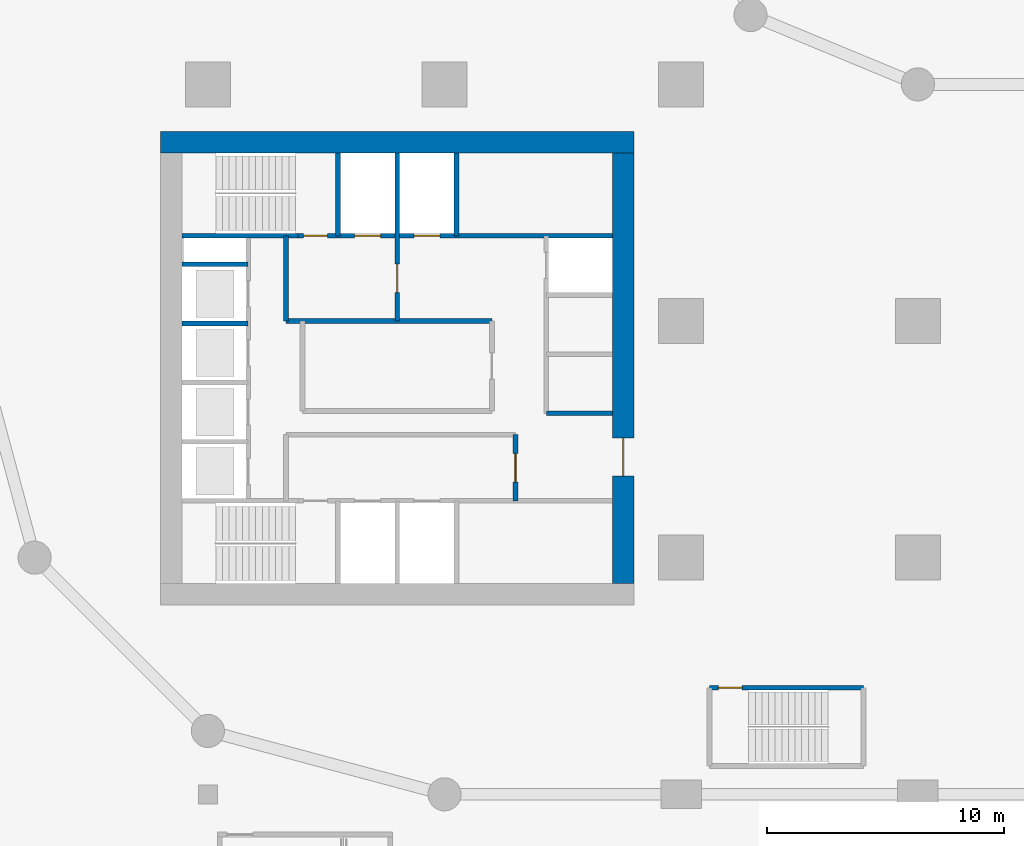
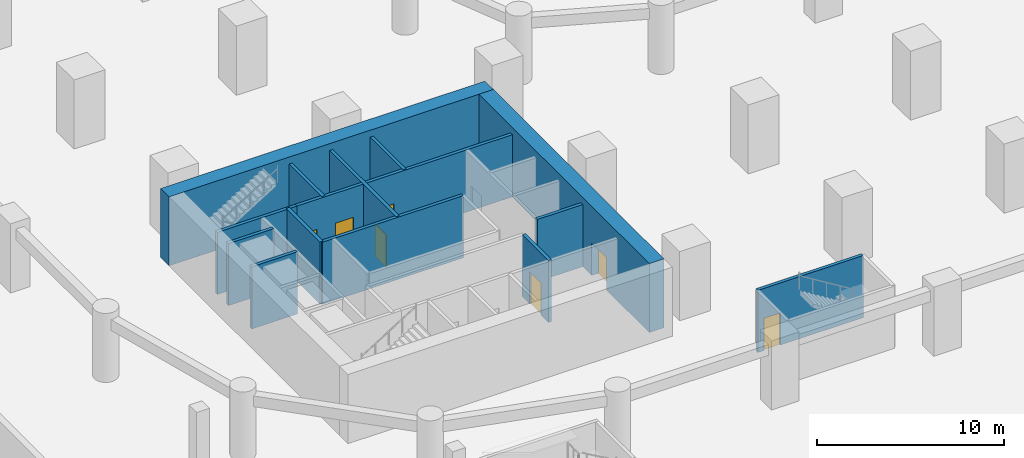
# One storey, part 5 of 19: 14 walls, 7 doors, 7 openings.
"""IFC4 building model written with IfcOpenShell, lengths in metres."""

from ifc_helpers import new_model, si_unit, direction, frame, frame_2d, origin, place, context, subcontext, project, spatial, rectangle, extrude, material, layer, layer_set, type_object, element, fill, save


model = new_model("IFC4")

# Units and contexts
model_context = context("Model", 3, precision=1e-05, world=origin(), true_north=direction((0.0, 1.0)))
body_context = subcontext(model_context, "Body", "Model", "MODEL_VIEW")
ifc_project = project(units=[si_unit("LENGTHUNIT", "METRE"), si_unit("AREAUNIT", "SQUARE_METRE"), si_unit("VOLUMEUNIT", "CUBIC_METRE"), si_unit("PLANEANGLEUNIT", "RADIAN"), si_unit("MASSUNIT", "GRAM", prefix="KILO")], contexts=[model_context])

# Site, building, storey
site_placement = place(None, origin())
site = spatial("IfcSite", under=ifc_project, at=site_placement, CompositionType="ELEMENT")
building_placement = place(site_placement, origin())
building = spatial("IfcBuilding", under=site, at=building_placement, Name="Qaws Garden Tower", CompositionType="ELEMENT")
storey_placement = place(building_placement, frame((0.0, 0.0, -4.5)))
storey = spatial("IfcBuildingStorey", under=building, at=storey_placement, Name="B1", CompositionType="ELEMENT", Elevation=-4.5)

# Wall, opening, door
ifc_material_1 = material(Name="Concrete C80", Category="concrete")
ifc_layer_1 = layer(ifc_material_1, 0.199951171875)
ifc_layer_set_1 = layer_set([ifc_layer_1], Name="Concrete C80")
wall_type_1 = type_object("IfcWallType", Name="Core shaft wall 200 C80", PredefinedType="SHEAR", material=ifc_layer_set_1)
wall_1_placement = place(storey_placement, frame((31.199951171875, 4.5, 0.0), z_axis=(0.0, 0.0, 1.0), x_axis=(1.0, 0.0, 0.0)))
wall_1 = element("IfcWall", 1, at=wall_1_placement, inside=storey, type_object=wall_type_1, Name="Shaft wall", PredefinedType="SHEAR", context=body_context, shape_type="SweptSolid", body=[
    extrude(rectangle(XDim=6.5, YDim=0.199951171875, at=frame_2d((3.25, 0.0))), origin(), (0.0, 0.0, 1.0), 4.050048828125),
])
opening_1_placement = place(wall_1_placement, frame((0.375, 0.0, 0.0)))
opening_1 = element("IfcOpeningElement", 2, at=opening_1_placement, cuts=wall_1, Name="Opening SD12", PredefinedType="OPENING", context=body_context, shape_type="SweptSolid", body=[
    extrude(rectangle(XDim=1.0, YDim=2.10009765625, at=frame_2d((0.5, 1.050048828125))), frame((0.0, 0.10986328125, 0.0), z_axis=(0.0, -1.0, 0.0), x_axis=(1.0, 0.0, 0.0)), (0.0, 0.0, 1.0), 0.219970703125),
])
ifc_material_2 = material(Name="Steel S235", Category="steel")
door_type_1 = type_object("IfcDoorType", Name="Stair door 1000x2100", OperationType="SINGLE_SWING_RIGHT", PredefinedType="DOOR", material=ifc_material_2)
door_1_placement = place(opening_1_placement, frame((1.0, 0.0, 0.0), z_axis=(0.0, 0.0, 1.0), x_axis=(-1.0, 0.0, 0.0)))
door_1 = element("IfcDoor", 3, at=door_1_placement, inside=storey, type_object=door_type_1, Name="Stair 5 door", OperationType="SINGLE_SWING_RIGHT", OverallHeight=2.10009765625, OverallWidth=1.0, PredefinedType="DOOR", context=body_context, shape_type="SweptSolid", body=[
    extrude(rectangle(XDim=1.0, YDim=2.10009765625, at=frame_2d((0.5, 1.050048828125))), frame((0.0, 0.02490234375, 0.0), z_axis=(0.0, -1.0, 0.0), x_axis=(1.0, 0.0, 0.0)), (0.0, 0.0, 1.0), 0.050048828125),
])
fill(opening_1, door_1)

# Walls
for number, where, z_axis, x_axis, name in (
    (4, (24.300048828125, 16.10009765625, 0.0), (0.0, 0.0, 1.0), (1.0, 0.0, 0.0), "Shaft wall"),
    (5, (8.89990234375, 19.89990234375, 0.0), (0.0, 0.0, 1.0), (1.0, 0.0, 0.0), "Shaft wall"),
):
    element("IfcWall", number, at=place(storey_placement, frame(where, z_axis=z_axis, x_axis=x_axis)), inside=storey, type_object=wall_type_1, Name=name, PredefinedType="SHEAR", context=body_context, shape_type="SweptSolid", body=[
        extrude(rectangle(XDim=2.800048828125, YDim=0.199951171875, at=frame_2d((1.39990234375, 0.0))), origin(), (0.0, 0.0, 1.0), 4.050048828125),
    ])
wall_2_placement = place(storey_placement, frame((13.300048828125, 20.0, 0.0), z_axis=(0.0, 0.0, 1.0), x_axis=(1.0, 0.0, 0.0)))
element("IfcWall", 6, at=wall_2_placement, inside=storey, type_object=wall_type_1, Name="Shaft wall", PredefinedType="SHEAR", context=body_context, shape_type="SweptSolid", body=[
    extrude(rectangle(XDim=8.699951171875, YDim=0.199951171875, at=frame_2d((4.35009765625, 0.0))), origin(), (0.0, 0.0, 1.0), 4.050048828125),
])
wall_3_placement = place(storey_placement, frame((8.89990234375, 22.39990234375, 0.0), z_axis=(0.0, 0.0, 1.0), x_axis=(1.0, 0.0, 0.0)))
element("IfcWall", 7, at=wall_3_placement, inside=storey, type_object=wall_type_1, Name="Shaft wall", PredefinedType="SHEAR", context=body_context, shape_type="SweptSolid", body=[
    extrude(rectangle(XDim=2.800048828125, YDim=0.199951171875, at=frame_2d((1.39990234375, 0.0))), origin(), (0.0, 0.0, 1.0), 4.050048828125),
])
wall_4_placement = place(storey_placement, frame((8.89990234375, 23.60009765625, 0.0), z_axis=(0.0, 0.0, 1.0), x_axis=(1.0, 0.0, 0.0)))
element("IfcWall", 8, at=wall_4_placement, inside=storey, type_object=wall_type_1, Name="Shaft wall", PredefinedType="SHEAR", context=body_context, shape_type="SweptSolid", body=[
    extrude(rectangle(XDim=4.900146484375, YDim=0.199951171875, at=frame_2d((2.4501953125, 0.0))), origin(), (0.0, 0.0, 1.0), 4.050048828125),
])

# Wall, openings, doors
wall_5_placement = place(storey_placement, frame((13.800048828125, 23.60009765625, 0.0), z_axis=(0.0, 0.0, 1.0), x_axis=(1.0, 0.0, 0.0)))
wall_5 = element("IfcWall", 9, at=wall_5_placement, inside=storey, type_object=wall_type_1, Name="Shaft wall", PredefinedType="SHEAR", context=body_context, shape_type="SweptSolid", body=[
    extrude(rectangle(XDim=13.300048828125, YDim=0.199951171875, at=frame_2d((6.64990234375, 0.0))), origin(), (0.0, 0.0, 1.0), 4.050048828125),
])
opening_2_placement = place(wall_5_placement, frame((2.39990234375, 0.0, 0.0)))
opening_2 = element("IfcOpeningElement", 10, at=opening_2_placement, cuts=wall_5, Name="Opening LD08", PredefinedType="OPENING", context=body_context, shape_type="SweptSolid", body=[
    extrude(rectangle(XDim=1.10009765625, YDim=2.10009765625, at=frame_2d((0.550048828125, 1.050048828125))), frame((0.0, 0.10986328125, 0.0), z_axis=(0.0, -1.0, 0.0), x_axis=(1.0, 0.0, 0.0)), (0.0, 0.0, 1.0), 0.219970703125),
])
opening_3_placement = place(wall_5_placement, frame((4.89990234375, 0.0, 0.0)))
opening_3 = element("IfcOpeningElement", 11, at=opening_3_placement, cuts=wall_5, Name="Opening LD09", PredefinedType="OPENING", context=body_context, shape_type="SweptSolid", body=[
    extrude(rectangle(XDim=1.10009765625, YDim=2.10009765625, at=frame_2d((0.550048828125, 1.050048828125))), frame((0.0, 0.10986328125, 0.0), z_axis=(0.0, -1.0, 0.0), x_axis=(1.0, 0.0, 0.0)), (0.0, 0.0, 1.0), 0.219970703125),
])
opening_4_placement = place(wall_5_placement, frame((0.25, 0.0, 0.0)))
opening_4 = element("IfcOpeningElement", 12, at=opening_4_placement, cuts=wall_5, Name="Opening SD11", PredefinedType="OPENING", context=body_context, shape_type="SweptSolid", body=[
    extrude(rectangle(XDim=1.0, YDim=2.10009765625, at=frame_2d((0.5, 1.050048828125))), frame((0.0, 0.10986328125, 0.0), z_axis=(0.0, -1.0, 0.0), x_axis=(1.0, 0.0, 0.0)), (0.0, 0.0, 1.0), 0.219970703125),
])
ifc_material_3 = material(Name="Steel S235", Category="steel")
door_type_2 = type_object("IfcDoorType", Name="Landing door 1100x2100", OperationType="DOUBLE_DOOR_SLIDING", PredefinedType="DOOR", material=ifc_material_3)
door_2_placement = place(opening_2_placement, origin())
door_2 = element("IfcDoor", 13, at=door_2_placement, inside=storey, type_object=door_type_2, Name="Lift FF3 landing door", OperationType="DOUBLE_DOOR_SLIDING", OverallHeight=2.10009765625, OverallWidth=1.10009765625, PredefinedType="DOOR", context=body_context, shape_type="SweptSolid", body=[
    extrude(rectangle(XDim=1.10009765625, YDim=2.10009765625, at=frame_2d((0.550048828125, 1.050048828125))), frame((0.0, 0.02490234375, 0.0), z_axis=(0.0, -1.0, 0.0), x_axis=(1.0, 0.0, 0.0)), (0.0, 0.0, 1.0), 0.050048828125),
])
fill(opening_2, door_2)
door_3_placement = place(opening_3_placement, origin())
door_3 = element("IfcDoor", 14, at=door_3_placement, inside=storey, type_object=door_type_2, Name="Lift SV2 landing door", OperationType="DOUBLE_DOOR_SLIDING", OverallHeight=2.10009765625, OverallWidth=1.10009765625, PredefinedType="DOOR", context=body_context, shape_type="SweptSolid", body=[
    extrude(rectangle(XDim=1.10009765625, YDim=2.10009765625, at=frame_2d((0.550048828125, 1.050048828125))), frame((0.0, 0.02490234375, 0.0), z_axis=(0.0, -1.0, 0.0), x_axis=(1.0, 0.0, 0.0)), (0.0, 0.0, 1.0), 0.050048828125),
])
fill(opening_3, door_3)
door_4_placement = place(opening_4_placement, origin())
door_4 = element("IfcDoor", 15, at=door_4_placement, inside=storey, type_object=door_type_1, Name="Stair 4 door", OperationType="SINGLE_SWING_RIGHT", OverallHeight=2.10009765625, OverallWidth=1.0, PredefinedType="DOOR", context=body_context, shape_type="SweptSolid", body=[
    extrude(rectangle(XDim=1.0, YDim=2.10009765625, at=frame_2d((0.5, 1.050048828125))), frame((0.0, 0.02490234375, 0.0), z_axis=(0.0, -1.0, 0.0), x_axis=(1.0, 0.0, 0.0)), (0.0, 0.0, 1.0), 0.050048828125),
])
fill(opening_4, door_4)

# Walls
wall_6_placement = place(storey_placement, frame((13.300048828125, 20.0, 0.0), z_axis=(0.0, 0.0, 1.0), x_axis=(0.0, 1.0, 0.0)))
element("IfcWall", 16, at=wall_6_placement, inside=storey, type_object=wall_type_1, Name="Shaft wall", PredefinedType="SHEAR", context=body_context, shape_type="SweptSolid", body=[
    extrude(rectangle(XDim=3.60009765625, YDim=0.199951171875, at=frame_2d((1.800048828125, 0.0))), origin(), (0.0, 0.0, 1.0), 4.050048828125),
])
wall_7_placement = place(storey_placement, frame((15.5, 23.60009765625, 0.0), z_axis=(0.0, 0.0, 1.0), x_axis=(0.0, 1.0, 0.0)))
element("IfcWall", 17, at=wall_7_placement, inside=storey, type_object=wall_type_1, Name="Shaft wall", PredefinedType="SHEAR", context=body_context, shape_type="SweptSolid", body=[
    extrude(rectangle(XDim=3.5, YDim=0.199951171875, at=frame_2d((1.75, 0.0))), origin(), (0.0, 0.0, 1.0), 4.050048828125),
])

# Wall, opening, door
wall_8_placement = place(storey_placement, frame((18.0, 20.0, 0.0), z_axis=(0.0, 0.0, 1.0), x_axis=(0.0, 1.0, 0.0)))
wall_8 = element("IfcWall", 18, at=wall_8_placement, inside=storey, type_object=wall_type_1, Name="Shaft wall", PredefinedType="SHEAR", context=body_context, shape_type="SweptSolid", body=[
    extrude(rectangle(XDim=7.10009765625, YDim=0.199951171875, at=frame_2d((3.550048828125, 0.0))), origin(), (0.0, 0.0, 1.0), 4.050048828125),
])
opening_5_placement = place(wall_8_placement, frame((1.199951171875, 0.0, 0.0)))
opening_5 = element("IfcOpeningElement", 19, at=opening_5_placement, cuts=wall_8, Name="Opening FD14", PredefinedType="OPENING", context=body_context, shape_type="SweptSolid", body=[
    extrude(rectangle(XDim=1.199951171875, YDim=2.10009765625, at=frame_2d((0.60009765625, 1.050048828125))), frame((0.0, 0.10986328125, 0.0), z_axis=(0.0, -1.0, 0.0), x_axis=(1.0, 0.0, 0.0)), (0.0, 0.0, 1.0), 0.219970703125),
])
ifc_material_4 = material(Name="Steel S235", Category="steel")
door_type_3 = type_object("IfcDoorType", Name="Lobby door 1200x2100", OperationType="DOUBLE_DOOR_SINGLE_SWING", PredefinedType="DOOR", material=ifc_material_4)
door_5_placement = place(opening_5_placement, origin())
door_5 = element("IfcDoor", 20, at=door_5_placement, inside=storey, type_object=door_type_3, Name="Fire-fighting lobby door", OperationType="DOUBLE_DOOR_SINGLE_SWING", OverallHeight=2.10009765625, OverallWidth=1.199951171875, PredefinedType="DOOR", context=body_context, shape_type="SweptSolid", body=[
    extrude(rectangle(XDim=1.199951171875, YDim=2.10009765625, at=frame_2d((0.60009765625, 1.050048828125))), frame((0.0, 0.02490234375, 0.0), z_axis=(0.0, -1.0, 0.0), x_axis=(1.0, 0.0, 0.0)), (0.0, 0.0, 1.0), 0.050048828125),
])
fill(opening_5, door_5)

# Wall
wall_9_placement = place(storey_placement, frame((20.5, 23.60009765625, 0.0), z_axis=(0.0, 0.0, 1.0), x_axis=(0.0, 1.0, 0.0)))
element("IfcWall", 21, at=wall_9_placement, inside=storey, type_object=wall_type_1, Name="Shaft wall", PredefinedType="SHEAR", context=body_context, shape_type="SweptSolid", body=[
    extrude(rectangle(XDim=3.5, YDim=0.199951171875, at=frame_2d((1.75, 0.0))), origin(), (0.0, 0.0, 1.0), 4.050048828125),
])

# Wall, opening, door
wall_10_placement = place(storey_placement, frame((23.0, 12.39990234375, 0.0), z_axis=(0.0, 0.0, 1.0), x_axis=(0.0, 1.0, 0.0)))
wall_10 = element("IfcWall", 22, at=wall_10_placement, inside=storey, type_object=wall_type_1, Name="Shaft wall", PredefinedType="SHEAR", context=body_context, shape_type="SweptSolid", body=[
    extrude(rectangle(XDim=2.800048828125, YDim=0.199951171875, at=frame_2d((1.39990234375, 0.0))), origin(), (0.0, 0.0, 1.0), 4.050048828125),
])
opening_6_placement = place(wall_10_placement, frame((0.800048828125, 0.0, 0.0)))
opening_6 = element("IfcOpeningElement", 23, at=opening_6_placement, cuts=wall_10, Name="Opening FD13", PredefinedType="OPENING", context=body_context, shape_type="SweptSolid", body=[
    extrude(rectangle(XDim=1.199951171875, YDim=2.10009765625, at=frame_2d((0.60009765625, 1.050048828125))), frame((0.0, 0.10986328125, 0.0), z_axis=(0.0, -1.0, 0.0), x_axis=(1.0, 0.0, 0.0)), (0.0, 0.0, 1.0), 0.219970703125),
])
door_6_placement = place(opening_6_placement, origin())
door_6 = element("IfcDoor", 24, at=door_6_placement, inside=storey, type_object=door_type_3, Name="Fire-fighting lobby door", OperationType="DOUBLE_DOOR_SINGLE_SWING", OverallHeight=2.10009765625, OverallWidth=1.199951171875, PredefinedType="DOOR", context=body_context, shape_type="SweptSolid", body=[
    extrude(rectangle(XDim=1.199951171875, YDim=2.10009765625, at=frame_2d((0.60009765625, 1.050048828125))), frame((0.0, 0.02490234375, 0.0), z_axis=(0.0, -1.0, 0.0), x_axis=(1.0, 0.0, 0.0)), (0.0, 0.0, 1.0), 0.050048828125),
])
fill(opening_6, door_6)

ifc_material_5 = material(Name="Concrete C80", Category="concrete")
ifc_layer_2 = layer(ifc_material_5, 0.89990234375)
ifc_layer_set_2 = layer_set([ifc_layer_2], Name="Concrete C80")
wall_type_2 = type_object("IfcWallType", Name="Core wall 900 C80", PredefinedType="SHEAR", material=ifc_layer_set_2)
wall_11_placement = place(storey_placement, frame((27.550048828125, 8.89990234375, 0.0), z_axis=(0.0, 0.0, 1.0), x_axis=(0.0, 1.0, 0.0)))
wall_11 = element("IfcWall", 25, at=wall_11_placement, inside=storey, type_object=wall_type_2, Name="Core wall B1 east", PredefinedType="SHEAR", context=body_context, shape_type="SweptSolid", body=[
    extrude(rectangle(XDim=18.2001953125, YDim=0.89990234375, at=frame_2d((9.10009765625, 0.0))), origin(), (0.0, 0.0, 1.0), 4.5),
])
opening_7_placement = place(wall_11_placement, frame((4.550048828125, 0.0, 0.0)))
opening_7 = element("IfcOpeningElement", 26, at=opening_7_placement, cuts=wall_11, Name="Opening ED16", PredefinedType="OPENING", context=body_context, shape_type="SweptSolid", body=[
    extrude(rectangle(XDim=1.60009765625, YDim=2.10009765625, at=frame_2d((0.800048828125, 1.050048828125))), frame((0.0, 0.4599609375, 0.0), z_axis=(0.0, -1.0, 0.0), x_axis=(1.0, 0.0, 0.0)), (0.0, 0.0, 1.0), 0.919921875),
])
ifc_material_6 = material(Name="Steel S235", Category="steel")
door_type_4 = type_object("IfcDoorType", Name="Core entrance door 1600x2100", OperationType="DOUBLE_DOOR_SINGLE_SWING", PredefinedType="DOOR", material=ifc_material_6)
door_7_placement = place(opening_7_placement, origin())
door_7 = element("IfcDoor", 27, at=door_7_placement, inside=storey, type_object=door_type_4, Name="Core entrance door", OperationType="DOUBLE_DOOR_SINGLE_SWING", OverallHeight=2.10009765625, OverallWidth=1.60009765625, PredefinedType="DOOR", context=body_context, shape_type="SweptSolid", body=[
    extrude(rectangle(XDim=1.60009765625, YDim=2.10009765625, at=frame_2d((0.800048828125, 1.050048828125))), frame((0.0, 0.02490234375, 0.0), z_axis=(0.0, -1.0, 0.0), x_axis=(1.0, 0.0, 0.0)), (0.0, 0.0, 1.0), 0.050048828125),
])
fill(opening_7, door_7)

# Wall
wall_12_placement = place(storey_placement, frame((28.0, 27.550048828125, 0.0), z_axis=(0.0, 0.0, 1.0), x_axis=(-1.0, 0.0, 0.0)))
element("IfcWall", 28, at=wall_12_placement, inside=storey, type_object=wall_type_2, Name="Core wall B1 north", PredefinedType="SHEAR", context=body_context, shape_type="SweptSolid", body=[
    extrude(rectangle(XDim=20.0, YDim=0.89990234375, at=frame_2d((10.0, 0.0))), origin(), (0.0, 0.0, 1.0), 4.5),
])

save(model, "model.ifc")
